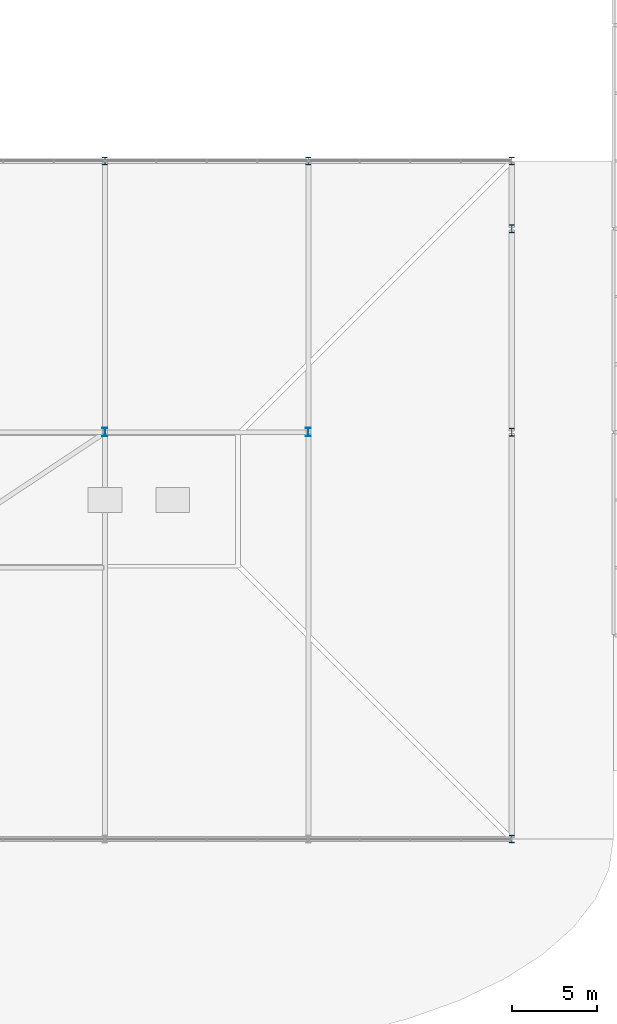
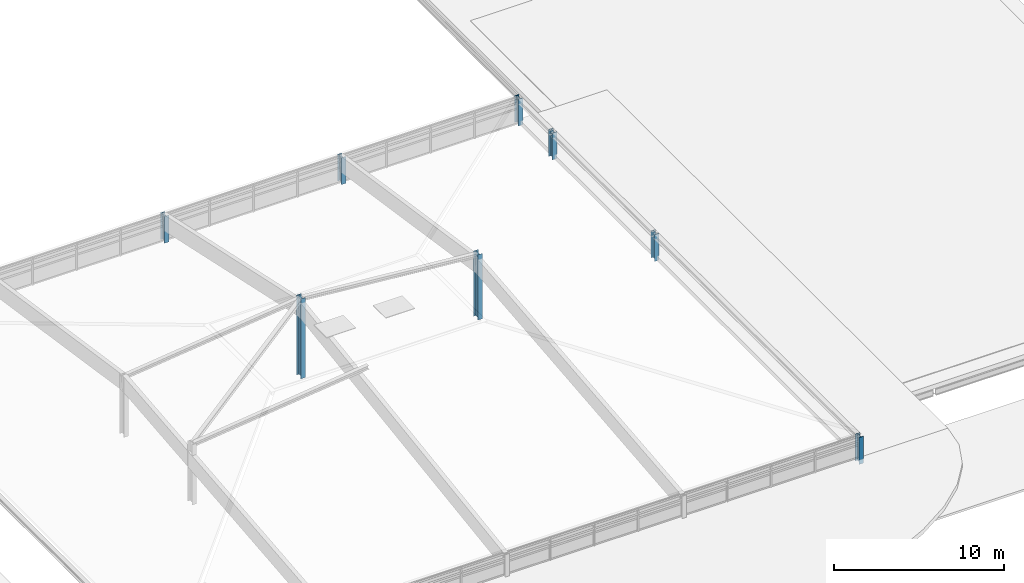
# One storey, part 2 of 80: 8 columns.
"""IFC4 building model written with IfcOpenShell, lengths in metres."""

from ifc_helpers import new_model, si_unit, direction, frame, origin, origin_2d, place, context, subcontext, project, spatial, i_section, extrude, material, material_profile, profile_set, type_object, element, save


model = new_model("IFC4")

# Units and contexts
model_context = context("Model", 3, precision=1e-05, world=origin(), true_north=direction((0.0, 1.0)))
body_context = subcontext(model_context, "Body", "Model", "MODEL_VIEW")
ifc_project = project(units=[si_unit("LENGTHUNIT", "METRE"), si_unit("AREAUNIT", "SQUARE_METRE"), si_unit("VOLUMEUNIT", "CUBIC_METRE"), si_unit("PLANEANGLEUNIT", "RADIAN"), si_unit("MASSUNIT", "GRAM", prefix="KILO"), si_unit("THERMODYNAMICTEMPERATUREUNIT", "KELVIN"), si_unit("POWERUNIT", "WATT")], contexts=[model_context])

# Site, building, storey
site_placement = place(None, origin())
site = spatial("IfcSite", under=ifc_project, at=site_placement, CompositionType="ELEMENT")
building_placement = place(site_placement, origin())
building = spatial("IfcBuilding", under=site, at=building_placement, Name="Solmara Park Aquatics Centre", CompositionType="ELEMENT")
storey_placement = place(building_placement, frame((0.0, 0.0, 22.800048828125)))
storey = spatial("IfcBuildingStorey", under=building, at=storey_placement, Name="RF", CompositionType="ELEMENT", Elevation=22.800048828125)

# Columns
ifc_material = material(Name="Structural Steel S355", Category="steel")
ifc_material_profile_1 = material_profile(ifc_material, i_section(OverallWidth=0.300048828125, OverallDepth=0.449951171875, WebThickness=0.013916015625, FlangeThickness=0.02587890625, FilletRadius=0.027099609375, at=origin_2d()), Name="HEB 450")
ifc_profile_set_1 = profile_set([ifc_material_profile_1], Name="Structural Steel S355")
column_type_1 = type_object("IfcColumnType", Name="STR-COL-HEB450", PredefinedType="COLUMN", material=ifc_profile_set_1)
for number, where, z_axis, x_axis, name in (
    (1, (132.0, 52.60009765625, -8.400146484375), (0.0, 0.0, 1.0), (1.0, 0.0, 0.0), "Diving Clerestory Column 0615"),
    (2, (144.0, 52.60009765625, -8.400146484375), (0.0, 0.0, 1.0), (1.0, 0.0, 0.0), "Diving Clerestory Column 0617"),
    (3, (156.0, 12.60009765625, -8.400146484375), (0.0, 0.0, 1.0), (1.0, 0.0, 0.0), "Diving Clerestory Column 0618"),
    (4, (156.0, 36.60009765625, -8.400146484375), (0.0, 0.0, 1.0), (1.0, 0.0, 0.0), "Diving Clerestory Column 0619"),
    (5, (156.0, 48.60009765625, -8.400146484375), (0.0, 0.0, 1.0), (1.0, 0.0, 0.0), "Diving Clerestory Column 0620"),
    (6, (156.0, 52.60009765625, -8.400146484375), (0.0, 0.0, 1.0), (1.0, 0.0, 0.0), "Diving Clerestory Column 0621"),
):
    element("IfcColumn", number, at=place(storey_placement, frame(where, z_axis=z_axis, x_axis=x_axis)), inside=storey, type_object=column_type_1, Name=name, PredefinedType="COLUMN", context=body_context, shape_type="SweptSolid", body=[
        extrude(i_section(OverallWidth=0.300048828125, OverallDepth=0.449951171875, WebThickness=0.013916015625, FlangeThickness=0.02587890625, FilletRadius=0.027099609375, at=origin_2d()), origin(), (0.0, 0.0, 1.0), 1.920166015625),
    ])
ifc_material_profile_2 = material_profile(ifc_material, i_section(OverallWidth=0.300048828125, OverallDepth=0.5, WebThickness=0.014404296875, FlangeThickness=0.028076171875, FilletRadius=0.027099609375, at=origin_2d()), Name="HEB 500")
ifc_profile_set_2 = profile_set([ifc_material_profile_2], Name="Structural Steel S355")
column_type_2 = type_object("IfcColumnType", Name="STR-COL-HEB500", PredefinedType="COLUMN", material=ifc_profile_set_2)
column_1_placement = place(storey_placement, frame((132.0, 36.60009765625, -8.400146484375), z_axis=(0.0, 0.0, 1.0), x_axis=(1.0, 0.0, 0.0)))
element("IfcColumn", 7, at=column_1_placement, inside=storey, type_object=column_type_2, Name="Diving Crown Interior Column 0623", PredefinedType="COLUMN", context=body_context, shape_type="SweptSolid", body=[
    extrude(i_section(OverallWidth=0.300048828125, OverallDepth=0.5, WebThickness=0.014404296875, FlangeThickness=0.028076171875, FilletRadius=0.027099609375, at=origin_2d()), origin(), (0.0, 0.0, 1.0), 5.72021484375),
])
column_2_placement = place(storey_placement, frame((144.0, 36.60009765625, -8.400146484375), z_axis=(0.0, 0.0, 1.0), x_axis=(1.0, 0.0, 0.0)))
element("IfcColumn", 8, at=column_2_placement, inside=storey, type_object=column_type_2, Name="Diving Crown Interior Column 0624", PredefinedType="COLUMN", context=body_context, shape_type="SweptSolid", body=[
    extrude(i_section(OverallWidth=0.300048828125, OverallDepth=0.5, WebThickness=0.014404296875, FlangeThickness=0.028076171875, FilletRadius=0.027099609375, at=origin_2d()), origin(), (0.0, 0.0, 1.0), 4.68017578125),
])

save(model, "model.ifc")
